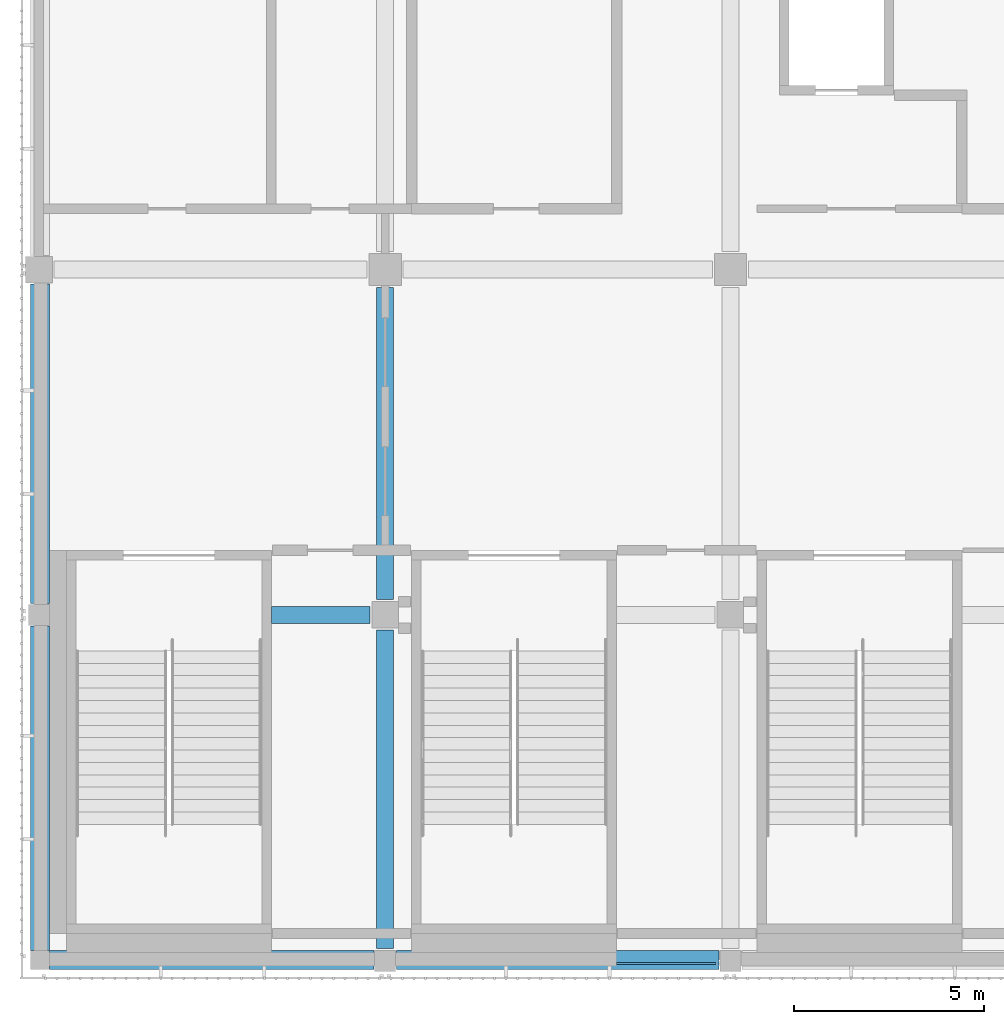
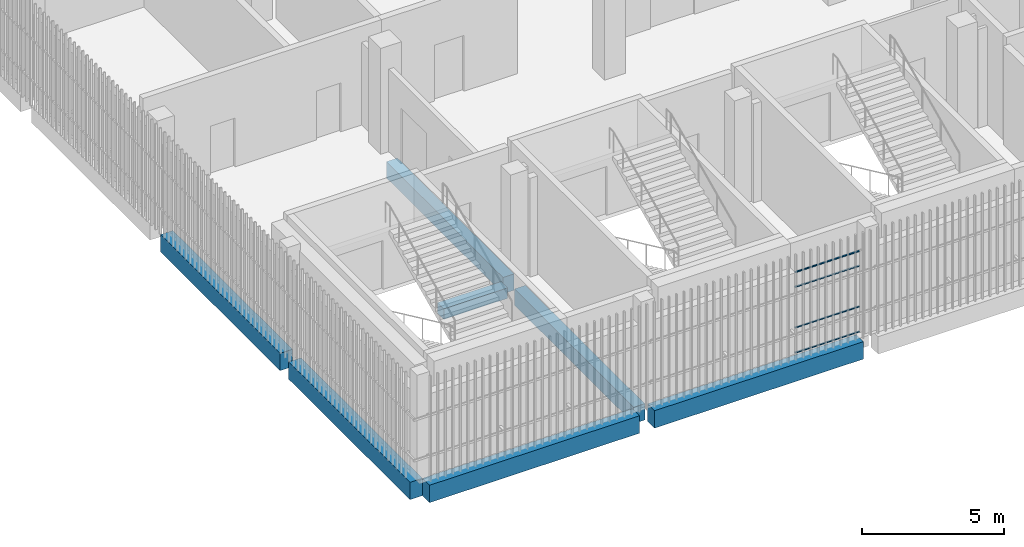
# One storey, part 3 of 126: 7 beams, 4 members, 1 element without a shape of its own.
"""IFC4 building model written with IfcOpenShell, lengths in metres."""

from ifc_helpers import new_model, si_unit, direction, frame, origin, origin_2d, place, context, subcontext, project, spatial, rectangle, hollow_rectangle, extrude, material, layer, layer_set, material_profile, profile_set, type_object, element, aggregate, save


model = new_model("IFC4")

# Units and contexts
model_context = context("Model", 3, precision=1e-05, world=origin(), true_north=direction((0.0, 1.0)))
body_context = subcontext(model_context, "Body", "Model", "MODEL_VIEW")
ifc_project = project(units=[si_unit("LENGTHUNIT", "METRE"), si_unit("AREAUNIT", "SQUARE_METRE"), si_unit("VOLUMEUNIT", "CUBIC_METRE"), si_unit("PLANEANGLEUNIT", "RADIAN"), si_unit("MASSUNIT", "GRAM", prefix="KILO")], contexts=[model_context])

# Site, building, storey
site_placement = place(None, origin())
site = spatial("IfcSite", under=ifc_project, at=site_placement, CompositionType="ELEMENT")
building_placement = place(site_placement, origin())
building = spatial("IfcBuilding", under=site, at=building_placement, Name="Shirokan Park Arena", CompositionType="ELEMENT")
storey_placement = place(building_placement, frame((0.0, 0.0, 6.3701171875)))
storey = spatial("IfcBuildingStorey", under=building, at=storey_placement, Name="L01", CompositionType="ELEMENT", Elevation=6.3701171875)

# Beams
ifc_material_1 = material(Name="Concrete C35", Category="concrete")
ifc_material_profile_1 = material_profile(ifc_material_1, rectangle(XDim=0.449951171875, YDim=0.699951171875, at=origin_2d()), Name="450x700")
ifc_profile_set_1 = profile_set([ifc_material_profile_1], Name="Concrete C35")
beam_type_1 = type_object("IfcBeamType", Name="RC girder 450x700", PredefinedType="BEAM", material=ifc_profile_set_1)
beam_1_placement = place(storey_placement, frame((9.10009765625, 0.300048828125, -0.7001953125), z_axis=(0.0, 1.0, 0.0), x_axis=(-1.0, 0.0, 0.0)))
element("IfcBeam", 1, at=beam_1_placement, inside=storey, type_object=beam_type_1, Name="Girder 2A-2B L01", PredefinedType="BEAM", context=body_context, shape_type="SweptSolid", body=[
    extrude(rectangle(XDim=0.449951171875, YDim=0.699951171875, at=origin_2d()), origin(), (0.0, 0.0, 1.0), 8.39990234375),
])
beam_2_placement = place(storey_placement, frame((9.10009765625, 9.5, -0.7001953125), z_axis=(0.0, 1.0, 0.0), x_axis=(-1.0, 0.0, 0.0)))
element("IfcBeam", 2, at=beam_2_placement, inside=storey, type_object=beam_type_1, Name="Girder 2B-2C L01", PredefinedType="BEAM", context=body_context, shape_type="SweptSolid", body=[
    extrude(rectangle(XDim=0.449951171875, YDim=0.699951171875, at=origin_2d()), origin(), (0.0, 0.0, 1.0), 8.224853515625),
])
ifc_material_profile_2 = material_profile(ifc_material_1, rectangle(XDim=0.5, YDim=0.75, at=origin_2d()), Name="500x750")
ifc_profile_set_2 = profile_set([ifc_material_profile_2], Name="Concrete C35")
beam_type_2 = type_object("IfcBeamType", Name="RC girder 500x750", PredefinedType="BEAM", material=ifc_profile_set_2)
beam_3_placement = place(storey_placement, frame((0.25, 0.0, -0.72509765625), z_axis=(1.0, 0.0, 0.0), x_axis=(0.0, 1.0, 0.0)))
element("IfcBeam", 3, at=beam_3_placement, inside=storey, type_object=beam_type_2, Name="Girder 1A-2A L01", PredefinedType="BEAM", context=body_context, shape_type="SweptSolid", body=[
    extrude(rectangle(XDim=0.5, YDim=0.75, at=origin_2d()), origin(), (0.0, 0.0, 1.0), 8.5498046875),
])
beam_4_placement = place(storey_placement, frame((9.400146484375, 0.0, -0.72509765625), z_axis=(1.0, 0.0, 0.0), x_axis=(0.0, 1.0, 0.0)))
element("IfcBeam", 4, at=beam_4_placement, inside=storey, type_object=beam_type_2, Name="Girder 2A-3A L01", PredefinedType="BEAM", context=body_context, shape_type="SweptSolid", body=[
    extrude(rectangle(XDim=0.5, YDim=0.75, at=origin_2d()), origin(), (0.0, 0.0, 1.0), 8.499755859375),
])
beam_5_placement = place(storey_placement, frame((0.0, 0.25, -0.72509765625), z_axis=(0.0, 1.0, 0.0), x_axis=(-1.0, 0.0, 0.0)))
element("IfcBeam", 5, at=beam_5_placement, inside=storey, type_object=beam_type_2, Name="Girder 1A-1B L01", PredefinedType="BEAM", context=body_context, shape_type="SweptSolid", body=[
    extrude(rectangle(XDim=0.5, YDim=0.75, at=origin_2d()), origin(), (0.0, 0.0, 1.0), 8.5498046875),
])
beam_6_placement = place(storey_placement, frame((0.0, 9.400146484375, -0.72509765625), z_axis=(0.0, 1.0, 0.0), x_axis=(-1.0, 0.0, 0.0)))
element("IfcBeam", 6, at=beam_6_placement, inside=storey, type_object=beam_type_2, Name="Girder 1B-1C L01", PredefinedType="BEAM", context=body_context, shape_type="SweptSolid", body=[
    extrude(rectangle(XDim=0.5, YDim=0.75, at=origin_2d()), origin(), (0.0, 0.0, 1.0), 8.4248046875),
])
ifc_material_profile_3 = material_profile(ifc_material_1, rectangle(XDim=0.449951171875, YDim=0.449951171875, at=origin_2d()), Name="450x450")
ifc_profile_set_3 = profile_set([ifc_material_profile_3], Name="Concrete C35")
beam_type_3 = type_object("IfcBeamType", Name="RC trimmer 450x450", PredefinedType="BEAM", material=ifc_profile_set_3)
beam_7_placement = place(storey_placement, frame((6.10009765625, 9.10009765625, -0.5751953125), z_axis=(1.0, 0.0, 0.0), x_axis=(0.0, 1.0, 0.0)))
element("IfcBeam", 7, at=beam_7_placement, inside=storey, type_object=beam_type_3, Name="Girder 1B-2B L01", PredefinedType="BEAM", context=body_context, shape_type="SweptSolid", body=[
    extrude(rectangle(XDim=0.449951171875, YDim=0.449951171875, at=origin_2d()), origin(), (0.0, 0.0, 1.0), 2.599853515625),
])

# Curtain wall, members
ifc_material_2 = material(Name="Steel and glass curtain wall", Category="steel")
ifc_layer = layer(ifc_material_2, 0.1201171875)
ifc_layer_set = layer_set([ifc_layer], Name="Steel and glass curtain wall 120 mm")
curtain_wall_type = type_object("IfcCurtainWallType", Name="Curtain wall corner block side bay 120", PredefinedType="NOTDEFINED", material=ifc_layer_set)
curtain_wall_placement = place(storey_placement, origin())
curtain_wall = element("IfcCurtainWall", 8, at=curtain_wall_placement, inside=storey, type_object=curtain_wall_type, Name="Curtain wall south bay 2 L01", PredefinedType="NOTDEFINED")
ifc_material_3 = material(Name="Steel S355", Category="steel")
ifc_material_profile_4 = material_profile(ifc_material_3, hollow_rectangle(XDim=0.06005859375, YDim=0.0400390625, WallThickness=0.00390625, at=origin_2d()), Name="RHS 60x40x4")
ifc_profile_set_4 = profile_set([ifc_material_profile_4], Name="Steel S355")
member_type = type_object("IfcMemberType", Name="Transom RHS 60x40x4", PredefinedType="MULLION", material=ifc_profile_set_4)
member_1_placement = place(storey_placement, frame((15.199951171875, -0.090087890625, 0.019775390625), z_axis=(1.0, 0.0, 0.0), x_axis=(0.0, 1.0, 0.0)))
member_1 = element("IfcMember", 9, at=member_1_placement, type_object=member_type, Name="CW3 transom 1.1", PredefinedType="MULLION", context=body_context, shape_type="SweptSolid", body=[
    extrude(hollow_rectangle(XDim=0.06005859375, YDim=0.0400390625, WallThickness=0.00390625, at=origin_2d()), origin(), (0.0, 0.0, 1.0), 2.625),
])
member_2_placement = place(storey_placement, frame((15.199951171875, -0.090087890625, 1.099853515625), z_axis=(1.0, 0.0, 0.0), x_axis=(0.0, 1.0, 0.0)))
member_2 = element("IfcMember", 10, at=member_2_placement, type_object=member_type, Name="CW3 transom 1.2", PredefinedType="MULLION", context=body_context, shape_type="SweptSolid", body=[
    extrude(hollow_rectangle(XDim=0.06005859375, YDim=0.0400390625, WallThickness=0.00390625, at=origin_2d()), origin(), (0.0, 0.0, 1.0), 2.625),
])
member_3_placement = place(storey_placement, frame((15.199951171875, -0.090087890625, 2.849853515625), z_axis=(1.0, 0.0, 0.0), x_axis=(0.0, 1.0, 0.0)))
member_3 = element("IfcMember", 11, at=member_3_placement, type_object=member_type, Name="CW3 transom 1.3", PredefinedType="MULLION", context=body_context, shape_type="SweptSolid", body=[
    extrude(hollow_rectangle(XDim=0.06005859375, YDim=0.0400390625, WallThickness=0.00390625, at=origin_2d()), origin(), (0.0, 0.0, 1.0), 2.625),
])
member_4_placement = place(storey_placement, frame((15.199951171875, -0.090087890625, 3.47998046875), z_axis=(1.0, 0.0, 0.0), x_axis=(0.0, 1.0, 0.0)))
member_4 = element("IfcMember", 12, at=member_4_placement, type_object=member_type, Name="CW3 transom 1.4", PredefinedType="MULLION", context=body_context, shape_type="SweptSolid", body=[
    extrude(hollow_rectangle(XDim=0.06005859375, YDim=0.0400390625, WallThickness=0.00390625, at=origin_2d()), origin(), (0.0, 0.0, 1.0), 2.625),
])
aggregate(curtain_wall, [member_1, member_2, member_3, member_4])

save(model, "model.ifc")
